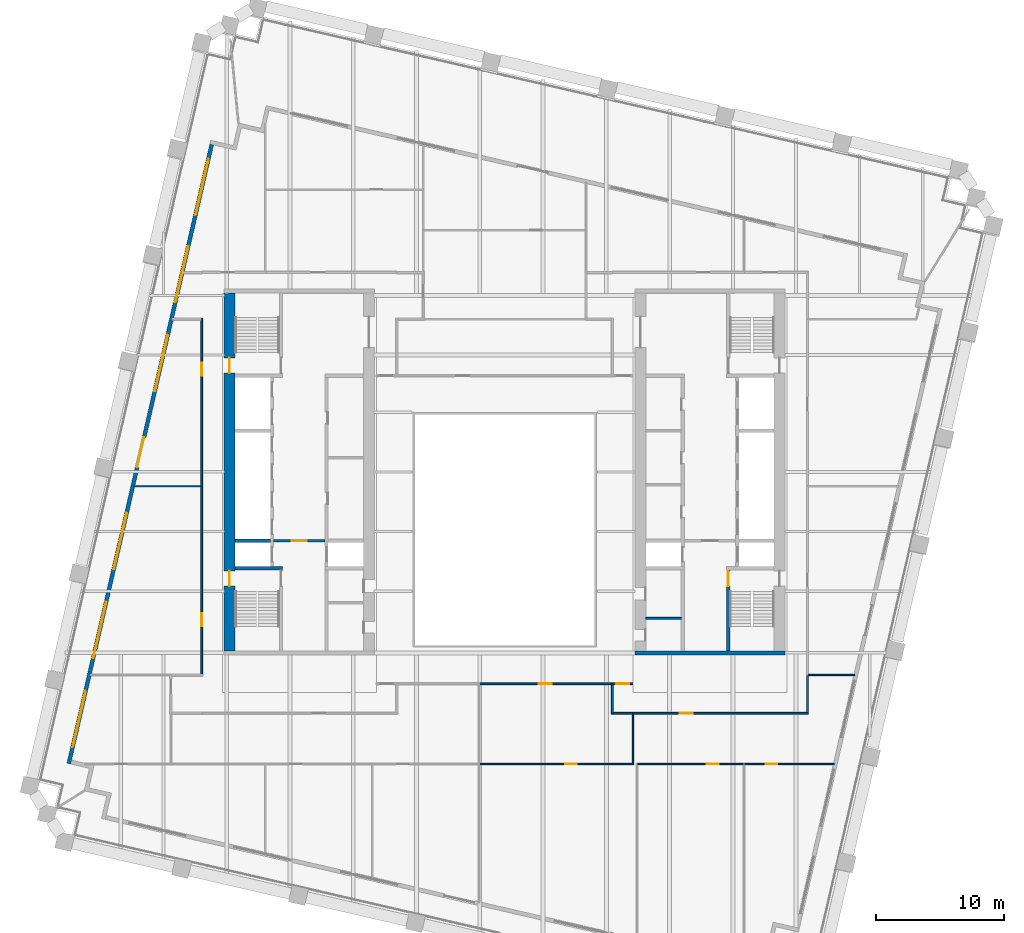
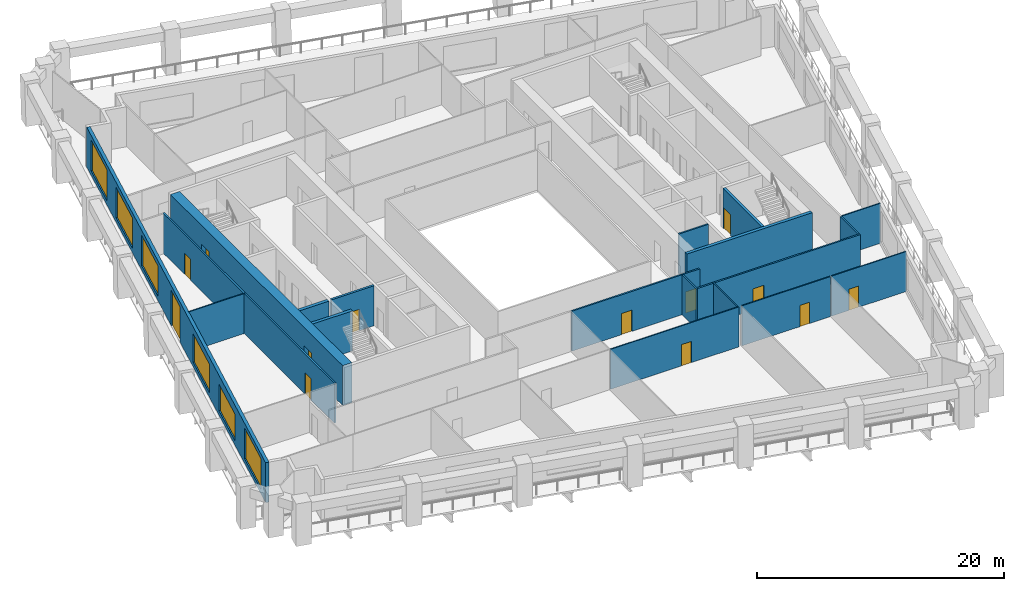
# One storey, part 4 of 10: 22 walls, 13 doors, 6 windows, 19 openings.
"""IFC4 building model written with IfcOpenShell, lengths in metres."""

from ifc_helpers import new_model, si_unit, direction, frame, frame_2d, origin, place, context, subcontext, project, spatial, rectangle, extrude, material, layer, layer_set, type_object, element, fill, save


model = new_model("IFC4")

# Units and contexts
model_context = context("Model", 3, precision=1e-05, world=origin(), true_north=direction((0.0, 1.0)))
body_context = subcontext(model_context, "Body", "Model", "MODEL_VIEW")
ifc_project = project(units=[si_unit("LENGTHUNIT", "METRE"), si_unit("AREAUNIT", "SQUARE_METRE"), si_unit("VOLUMEUNIT", "CUBIC_METRE"), si_unit("PLANEANGLEUNIT", "RADIAN"), si_unit("MASSUNIT", "GRAM", prefix="KILO")], contexts=[model_context])

# Site, building, storey
site_placement = place(None, origin())
site = spatial("IfcSite", under=ifc_project, at=site_placement, CompositionType="ELEMENT")
building_placement = place(site_placement, origin())
building = spatial("IfcBuilding", under=site, at=building_placement, Name="Ogive Exchange Tower", CompositionType="ELEMENT")
storey_placement = place(building_placement, frame((0.0, 0.0, 151.800048828125)))
storey = spatial("IfcBuildingStorey", under=building, at=storey_placement, Name="L33", CompositionType="ELEMENT", Elevation=151.800048828125)

# Wall
ifc_material_1 = material(Name="Gypsum board partition")
ifc_layer_1 = layer(ifc_material_1, 0.14990234375)
ifc_layer_set_1 = layer_set([ifc_layer_1], Name="Core room partition 150 gypsum")
wall_type_1 = type_object("IfcWallType", Name="Core room partition 150 gypsum", PredefinedType="PARTITIONING", material=ifc_layer_set_1)
wall_1_placement = place(storey_placement, frame((11.0, 0.10009765625, 0.0), z_axis=(0.0, 0.0, 1.0), x_axis=(1.0, 0.0, 0.0)))
element("IfcWall", 1, at=wall_1_placement, inside=storey, type_object=wall_type_1, Name="E south room partition", PredefinedType="PARTITIONING", context=body_context, shape_type="SweptSolid", body=[
    extrude(rectangle(XDim=2.75, YDim=0.14990234375, at=frame_2d((1.375, 0.0))), origin(), (0.0, 0.0, 1.0), 3.949951171875),
])

# Wall, opening, door
ifc_material_2 = material(Name="Fire partition EI 60 150")
ifc_layer_2 = layer(ifc_material_2, 0.14990234375)
ifc_layer_set_2 = layer_set([ifc_layer_2], Name="Fire partition EI 60 150")
wall_type_2 = type_object("IfcWallType", Name="Fire partition EI 60 150", PredefinedType="PARTITIONING", material=ifc_layer_set_2)
wall_2_placement = place(storey_placement, frame((-23.60009765625, -4.2451171875, 0.0), z_axis=(0.0, 0.0, 1.0), x_axis=(0.0, 1.0, 0.0)))
wall_2 = element("IfcWall", 2, at=wall_2_placement, inside=storey, type_object=wall_type_2, Name="L33-PWL-008", PredefinedType="PARTITIONING", context=body_context, shape_type="SweptSolid", body=[
    extrude(rectangle(XDim=14.68505859375, YDim=0.14990234375, at=frame_2d((7.342529296875, 0.0))), origin(), (0.0, 0.0, 1.0), 3.949951171875),
])
opening_1_placement = place(wall_2_placement, frame((3.735107421875, 0.0, 0.0)))
opening_1 = element("IfcOpeningElement", 3, at=opening_1_placement, cuts=wall_2, Name="Opening L33-I12", PredefinedType="OPENING", context=body_context, shape_type="SweptSolid", body=[
    extrude(rectangle(XDim=1.0, YDim=2.10009765625, at=frame_2d((0.5, 1.050048828125))), frame((0.0, 0.0849609375, 0.0), z_axis=(0.0, -1.0, 0.0), x_axis=(1.0, 0.0, 0.0)), (0.0, 0.0, 1.0), 0.169921875),
])
ifc_material_3 = material(Name="Fire door FD 30S 1000 x 2100")
door_type_1 = type_object("IfcDoorType", Name="Fire door FD 30S 1000 x 2100", OperationType="NOTDEFINED", PredefinedType="DOOR", material=ifc_material_3)
door_1_placement = place(opening_1_placement, origin())
door_1 = element("IfcDoor", 4, at=door_1_placement, inside=storey, type_object=door_type_1, Name="L33-IDR-012", ObjectType="DT3", OperationType="SINGLE_SWING_RIGHT", OverallHeight=2.10009765625, OverallWidth=1.0, PredefinedType="DOOR", context=body_context, shape_type="SweptSolid", body=[
    extrude(rectangle(XDim=1.0, YDim=2.10009765625, at=frame_2d((0.5, 1.050048828125))), frame((0.0, 0.02490234375, 0.0), z_axis=(0.0, -1.0, 0.0), x_axis=(1.0, 0.0, 0.0)), (0.0, 0.0, 1.0), 0.050048828125),
])
fill(opening_1, door_1)

wall_3_placement = place(storey_placement, frame((-23.60009765625, 10.389892578125, 0.0), z_axis=(0.0, 0.0, 1.0), x_axis=(0.0, 1.0, 0.0)))
wall_3 = element("IfcWall", 5, at=wall_3_placement, inside=storey, type_object=wall_type_2, Name="L33-PWL-010", PredefinedType="PARTITIONING", context=body_context, shape_type="SweptSolid", body=[
    extrude(rectangle(XDim=13.09521484375, YDim=0.14990234375, at=frame_2d((6.547607421875, 0.0))), origin(), (0.0, 0.0, 1.0), 3.949951171875),
])
opening_2_placement = place(wall_3_placement, frame((8.6201171875, 0.0, 0.0)))
opening_2 = element("IfcOpeningElement", 6, at=opening_2_placement, cuts=wall_3, Name="Opening L33-I01", PredefinedType="OPENING", context=body_context, shape_type="SweptSolid", body=[
    extrude(rectangle(XDim=1.0, YDim=2.10009765625, at=frame_2d((0.5, 1.050048828125))), frame((0.0, 0.0849609375, 0.0), z_axis=(0.0, -1.0, 0.0), x_axis=(1.0, 0.0, 0.0)), (0.0, 0.0, 1.0), 0.169921875),
])
door_2_placement = place(opening_2_placement, origin())
door_2 = element("IfcDoor", 7, at=door_2_placement, inside=storey, type_object=door_type_1, Name="L33-IDR-001", ObjectType="DT3", OperationType="SINGLE_SWING_LEFT", OverallHeight=2.10009765625, OverallWidth=1.0, PredefinedType="DOOR", context=body_context, shape_type="SweptSolid", body=[
    extrude(rectangle(XDim=1.0, YDim=2.10009765625, at=frame_2d((0.5, 1.050048828125))), frame((0.0, 0.02490234375, 0.0), z_axis=(0.0, -1.0, 0.0), x_axis=(1.0, 0.0, 0.0)), (0.0, 0.0, 1.0), 0.050048828125),
])
fill(opening_2, door_2)

# Wall
wall_4_placement = place(storey_placement, frame((8.39990234375, -7.375, 0.0), z_axis=(0.0, 0.0, 1.0), x_axis=(0.0, 1.0, 0.0)))
element("IfcWall", 8, at=wall_4_placement, inside=storey, type_object=wall_type_2, Name="L33-PWL-041", PredefinedType="PARTITIONING", context=body_context, shape_type="SweptSolid", body=[
    extrude(rectangle(XDim=2.449951171875, YDim=0.14990234375, at=frame_2d((1.22509765625, 0.0))), origin(), (0.0, 0.0, 1.0), 3.949951171875),
])

# Wall, opening, door
wall_5_placement = place(storey_placement, frame((8.324951171875, -5.0, 0.0), z_axis=(0.0, 0.0, 1.0), x_axis=(-1.0, 0.0, 0.0)))
wall_5 = element("IfcWall", 9, at=wall_5_placement, inside=storey, type_object=wall_type_2, Name="L33-PWL-042", PredefinedType="PARTITIONING", context=body_context, shape_type="SweptSolid", body=[
    extrude(rectangle(XDim=10.264892578125, YDim=0.14990234375, at=frame_2d((5.13232421875, 0.0))), origin(), (0.0, 0.0, 1.0), 3.949951171875),
])
opening_3_placement = place(wall_5_placement, frame((4.6650390625, 0.0, 0.0)))
opening_3 = element("IfcOpeningElement", 10, at=opening_3_placement, cuts=wall_5, Name="Opening L33-I14", PredefinedType="OPENING", context=body_context, shape_type="SweptSolid", body=[
    extrude(rectangle(XDim=1.0, YDim=2.10009765625, at=frame_2d((0.5, 1.050048828125))), frame((0.0, 0.0849609375, 0.0), z_axis=(0.0, -1.0, 0.0), x_axis=(1.0, 0.0, 0.0)), (0.0, 0.0, 1.0), 0.169921875),
])
door_3_placement = place(opening_3_placement, origin())
door_3 = element("IfcDoor", 11, at=door_3_placement, inside=storey, type_object=door_type_1, Name="L33-IDR-014", ObjectType="DT3", OperationType="SINGLE_SWING_LEFT", OverallHeight=2.10009765625, OverallWidth=1.0, PredefinedType="DOOR", context=body_context, shape_type="SweptSolid", body=[
    extrude(rectangle(XDim=1.0, YDim=2.10009765625, at=frame_2d((0.5, 1.050048828125))), frame((0.0, 0.02490234375, 0.0), z_axis=(0.0, -1.0, 0.0), x_axis=(1.0, 0.0, 0.0)), (0.0, 0.0, 1.0), 0.050048828125),
])
fill(opening_3, door_3)

# Wall
wall_6_placement = place(storey_placement, frame((9.949951171875, -7.300048828125, 0.0), z_axis=(0.0, 0.0, 1.0), x_axis=(-1.0, 0.0, 0.0)))
element("IfcWall", 12, at=wall_6_placement, inside=storey, type_object=wall_type_2, Name="L33-PWL-048", PredefinedType="PARTITIONING", context=body_context, shape_type="SweptSolid", body=[
    extrude(rectangle(XDim=1.474853515625, YDim=0.14990234375, at=frame_2d((0.7373046875, 0.0))), origin(), (0.0, 0.0, 1.0), 3.949951171875),
])

# Wall, opening, door
wall_7_placement = place(storey_placement, frame((23.675048828125, -7.300048828125, 0.0), z_axis=(0.0, 0.0, 1.0), x_axis=(-1.0, 0.0, 0.0)))
wall_7 = element("IfcWall", 13, at=wall_7_placement, inside=storey, type_object=wall_type_2, Name="L33-PWL-054", PredefinedType="PARTITIONING", context=body_context, shape_type="SweptSolid", body=[
    extrude(rectangle(XDim=13.625, YDim=0.14990234375, at=frame_2d((6.8125, 0.0))), origin(), (0.0, 0.0, 1.0), 3.949951171875),
])
opening_4_placement = place(wall_7_placement, frame((9.02490234375, 0.0, 0.0)))
opening_4 = element("IfcOpeningElement", 14, at=opening_4_placement, cuts=wall_7, Name="Opening L33-I13", PredefinedType="OPENING", context=body_context, shape_type="SweptSolid", body=[
    extrude(rectangle(XDim=1.0, YDim=2.10009765625, at=frame_2d((0.5, 1.050048828125))), frame((0.0, 0.0849609375, 0.0), z_axis=(0.0, -1.0, 0.0), x_axis=(1.0, 0.0, 0.0)), (0.0, 0.0, 1.0), 0.169921875),
])
door_4_placement = place(opening_4_placement, origin())
door_4 = element("IfcDoor", 15, at=door_4_placement, inside=storey, type_object=door_type_1, Name="L33-IDR-013", ObjectType="DT3", OperationType="SINGLE_SWING_LEFT", OverallHeight=2.10009765625, OverallWidth=1.0, PredefinedType="DOOR", context=body_context, shape_type="SweptSolid", body=[
    extrude(rectangle(XDim=1.0, YDim=2.10009765625, at=frame_2d((0.5, 1.050048828125))), frame((0.0, 0.02490234375, 0.0), z_axis=(0.0, -1.0, 0.0), x_axis=(1.0, 0.0, 0.0)), (0.0, 0.0, 1.0), 0.050048828125),
])
fill(opening_4, door_4)

# Wall
wall_8_placement = place(storey_placement, frame((23.60009765625, -4.3701171875, 0.0), z_axis=(0.0, 0.0, 1.0), x_axis=(0.0, -1.0, 0.0)))
element("IfcWall", 16, at=wall_8_placement, inside=storey, type_object=wall_type_2, Name="L33-PWL-055", PredefinedType="PARTITIONING", context=body_context, shape_type="SweptSolid", body=[
    extrude(rectangle(XDim=2.85498046875, YDim=0.14990234375, at=frame_2d((1.427490234375, 0.0))), origin(), (0.0, 0.0, 1.0), 3.949951171875),
])

# Wall, opening, door
wall_9_placement = place(storey_placement, frame((10.0, -5.0, 0.0), z_axis=(0.0, 0.0, 1.0), x_axis=(-1.0, 0.0, 0.0)))
wall_9 = element("IfcWall", 17, at=wall_9_placement, inside=storey, type_object=wall_type_2, Name="L33-PWL-067", PredefinedType="PARTITIONING", context=body_context, shape_type="SweptSolid", body=[
    extrude(rectangle(XDim=1.60009765625, YDim=0.14990234375, at=frame_2d((0.800048828125, 0.0))), origin(), (0.0, 0.0, 1.0), 3.949951171875),
])
opening_5_placement = place(wall_9_placement, frame((0.300048828125, 0.0, 0.0)))
opening_5 = element("IfcOpeningElement", 18, at=opening_5_placement, cuts=wall_9, Name="Opening L33-I26", PredefinedType="OPENING", context=body_context, shape_type="SweptSolid", body=[
    extrude(rectangle(XDim=1.0, YDim=2.10009765625, at=frame_2d((0.5, 1.050048828125))), frame((0.0, 0.0849609375, 0.0), z_axis=(0.0, -1.0, 0.0), x_axis=(1.0, 0.0, 0.0)), (0.0, 0.0, 1.0), 0.169921875),
])
door_5_placement = place(opening_5_placement, origin())
door_5 = element("IfcDoor", 19, at=door_5_placement, inside=storey, type_object=door_type_1, Name="L33-IDR-026", ObjectType="DT3", OperationType="SINGLE_SWING_LEFT", OverallHeight=2.10009765625, OverallWidth=1.0, PredefinedType="DOOR", context=body_context, shape_type="SweptSolid", body=[
    extrude(rectangle(XDim=1.0, YDim=2.10009765625, at=frame_2d((0.5, 1.050048828125))), frame((0.0, 0.02490234375, 0.0), z_axis=(0.0, -1.0, 0.0), x_axis=(1.0, 0.0, 0.0)), (0.0, 0.0, 1.0), 0.050048828125),
])
fill(opening_5, door_5)

# Wall, openings, door, windows
ifc_material_4 = material(Name="Precast concrete C40/50", Category="concrete")
ifc_layer_3 = layer(ifc_material_4, 0.300048828125)
ifc_layer_set_3 = layer_set([ifc_layer_3], Name="Limestone-faced wall 300")
wall_type_3 = type_object("IfcWallType", Name="Limestone-faced wall 300", PredefinedType="STANDARD", material=ifc_layer_set_3)
wall_10_placement = place(storey_placement, frame((-22.8203125, 37.015625, 0.0), z_axis=(0.0, 0.0, 1.0), x_axis=(-0.224953880882, -0.974369412223, 0.0)))
wall_10 = element("IfcWall", 20, at=wall_10_placement, inside=storey, type_object=wall_type_3, Name="External wall W4", PredefinedType="STANDARD", context=body_context, shape_type="SweptSolid", body=[
    extrude(rectangle(XDim=49.500244140625, YDim=0.300048828125, at=frame_2d((24.75, 0.0))), origin(), (0.0, 0.0, 1.0), 3.949951171875),
])
opening_6_placement = place(wall_10_placement, frame((1.156982421875, 0.0, 0.449951171875)))
opening_6 = element("IfcOpeningElement", 21, at=opening_6_placement, cuts=wall_10, Name="Opening W1", PredefinedType="OPENING", context=body_context, shape_type="SweptSolid", body=[
    extrude(rectangle(XDim=4.5, YDim=3.050048828125, at=frame_2d((2.25, 1.52490234375))), frame((0.0, 0.159912109375, 0.0), z_axis=(0.0, -1.0, 0.0), x_axis=(1.0, 0.0, 0.0)), (0.0, 0.0, 1.0), 0.320068359375),
])
opening_7_placement = place(wall_10_placement, frame((8.121337890625, 0.0, 0.449951171875)))
opening_7 = element("IfcOpeningElement", 22, at=opening_7_placement, cuts=wall_10, Name="Opening W1A", PredefinedType="OPENING", context=body_context, shape_type="SweptSolid", body=[
    extrude(rectangle(XDim=4.5, YDim=3.0, at=frame_2d((2.25, 1.5))), frame((0.0, 0.159912109375, 0.0), z_axis=(0.0, -1.0, 0.0), x_axis=(1.0, 0.0, 0.0)), (0.0, 0.0, 1.0), 0.320068359375),
])
opening_8_placement = place(wall_10_placement, frame((15.235595703125, 0.0, 0.449951171875)))
opening_8 = element("IfcOpeningElement", 23, at=opening_8_placement, cuts=wall_10, Name="Opening W1A", PredefinedType="OPENING", context=body_context, shape_type="SweptSolid", body=[
    extrude(rectangle(XDim=4.5, YDim=3.0, at=frame_2d((2.25, 1.5))), frame((0.0, 0.159912109375, 0.0), z_axis=(0.0, -1.0, 0.0), x_axis=(1.0, 0.0, 0.0)), (0.0, 0.0, 1.0), 0.320068359375),
])
opening_9_placement = place(wall_10_placement, frame((23.39990234375, 0.0, 0.0)))
opening_9 = element("IfcOpeningElement", 24, at=opening_9_placement, cuts=wall_10, Name="Opening D1", PredefinedType="OPENING", context=body_context, shape_type="SweptSolid", body=[
    extrude(rectangle(XDim=2.39990234375, YDim=3.5, at=frame_2d((1.199951171875, 1.75))), frame((0.0, 0.159912109375, 0.0), z_axis=(0.0, -1.0, 0.0), x_axis=(1.0, 0.0, 0.0)), (0.0, 0.0, 1.0), 0.320068359375),
])
opening_10_placement = place(wall_10_placement, frame((29.464111328125, 0.0, 0.449951171875)))
opening_10 = element("IfcOpeningElement", 25, at=opening_10_placement, cuts=wall_10, Name="Opening W1E", PredefinedType="OPENING", context=body_context, shape_type="SweptSolid", body=[
    extrude(rectangle(XDim=4.5, YDim=2.824951171875, at=frame_2d((2.25, 1.41259765625))), frame((0.0, 0.159912109375, 0.0), z_axis=(0.0, -1.0, 0.0), x_axis=(1.0, 0.0, 0.0)), (0.0, 0.0, 1.0), 0.320068359375),
])
opening_11_placement = place(wall_10_placement, frame((36.57861328125, 0.0, 0.449951171875)))
opening_11 = element("IfcOpeningElement", 26, at=opening_11_placement, cuts=wall_10, Name="Opening W1L", PredefinedType="OPENING", context=body_context, shape_type="SweptSolid", body=[
    extrude(rectangle(XDim=4.5, YDim=2.625, at=frame_2d((2.25, 1.3125))), frame((0.0, 0.159912109375, 0.0), z_axis=(0.0, -1.0, 0.0), x_axis=(1.0, 0.0, 0.0)), (0.0, 0.0, 1.0), 0.320068359375),
])
opening_12_placement = place(wall_10_placement, frame((43.69287109375, 0.0, 0.449951171875)))
opening_12 = element("IfcOpeningElement", 27, at=opening_12_placement, cuts=wall_10, Name="Opening W1", PredefinedType="OPENING", context=body_context, shape_type="SweptSolid", body=[
    extrude(rectangle(XDim=4.5, YDim=3.050048828125, at=frame_2d((2.25, 1.52490234375))), frame((0.0, 0.159912109375, 0.0), z_axis=(0.0, -1.0, 0.0), x_axis=(1.0, 0.0, 0.0)), (0.0, 0.0, 1.0), 0.320068359375),
])
ifc_material_5 = material(Name="Clear glass in bronze frame", Category="glass")
door_type_2 = type_object("IfcDoorType", Name="Sliding loggia door 2400 x 3500", OperationType="DOUBLE_DOOR_SLIDING", PredefinedType="DOOR", material=ifc_material_5)
door_6_placement = place(opening_9_placement, origin())
door_6 = element("IfcDoor", 28, at=door_6_placement, inside=storey, type_object=door_type_2, Name="Loggia door W03", OperationType="DOUBLE_DOOR_SLIDING", OverallHeight=3.5, OverallWidth=2.39990234375, PredefinedType="DOOR", context=body_context, shape_type="SweptSolid", body=[
    extrude(rectangle(XDim=2.39990234375, YDim=3.5, at=frame_2d((1.199951171875, 1.75))), frame((0.0, 0.02490234375, 0.0), z_axis=(0.0, -1.0, 0.0), x_axis=(1.0, 0.0, 0.0)), (0.0, 0.0, 1.0), 0.050048828125),
])
fill(opening_9, door_6)
window_type_1 = type_object("IfcWindowType", Name="Twin lancet window 4500 x 2625", PartitioningType="DOUBLE_PANEL_VERTICAL", PredefinedType="WINDOW", material=ifc_material_5)
window_1_placement = place(opening_11_placement, origin())
window_1 = element("IfcWindow", 29, at=window_1_placement, inside=storey, type_object=window_type_1, Name="Window W05", OverallHeight=2.625, OverallWidth=4.5, PartitioningType="DOUBLE_PANEL_VERTICAL", PredefinedType="WINDOW", context=body_context, shape_type="SweptSolid", body=[
    extrude(rectangle(XDim=4.5, YDim=2.625, at=frame_2d((2.25, 1.3125))), frame((0.0, 0.030029296875, 0.0), z_axis=(0.0, -1.0, 0.0), x_axis=(1.0, 0.0, 0.0)), (0.0, 0.0, 1.0), 0.06005859375),
])
fill(opening_11, window_1)
window_type_2 = type_object("IfcWindowType", Name="Twin lancet window 4500 x 2825", PartitioningType="DOUBLE_PANEL_VERTICAL", PredefinedType="WINDOW", material=ifc_material_5)
window_2_placement = place(opening_10_placement, origin())
window_2 = element("IfcWindow", 30, at=window_2_placement, inside=storey, type_object=window_type_2, Name="Window W04", OverallHeight=2.824951171875, OverallWidth=4.5, PartitioningType="DOUBLE_PANEL_VERTICAL", PredefinedType="WINDOW", context=body_context, shape_type="SweptSolid", body=[
    extrude(rectangle(XDim=4.5, YDim=2.824951171875, at=frame_2d((2.25, 1.41259765625))), frame((0.0, 0.030029296875, 0.0), z_axis=(0.0, -1.0, 0.0), x_axis=(1.0, 0.0, 0.0)), (0.0, 0.0, 1.0), 0.06005859375),
])
fill(opening_10, window_2)
window_type_3 = type_object("IfcWindowType", Name="Twin lancet window 4500 x 3000", PartitioningType="DOUBLE_PANEL_VERTICAL", PredefinedType="WINDOW", material=ifc_material_5)
window_3_placement = place(opening_7_placement, origin())
window_3 = element("IfcWindow", 31, at=window_3_placement, inside=storey, type_object=window_type_3, Name="Window W01", OverallHeight=3.0, OverallWidth=4.5, PartitioningType="DOUBLE_PANEL_VERTICAL", PredefinedType="WINDOW", context=body_context, shape_type="SweptSolid", body=[
    extrude(rectangle(XDim=4.5, YDim=3.0, at=frame_2d((2.25, 1.5))), frame((0.0, 0.030029296875, 0.0), z_axis=(0.0, -1.0, 0.0), x_axis=(1.0, 0.0, 0.0)), (0.0, 0.0, 1.0), 0.06005859375),
])
fill(opening_7, window_3)
window_4_placement = place(opening_8_placement, origin())
window_4 = element("IfcWindow", 32, at=window_4_placement, inside=storey, type_object=window_type_3, Name="Window W02", OverallHeight=3.0, OverallWidth=4.5, PartitioningType="DOUBLE_PANEL_VERTICAL", PredefinedType="WINDOW", context=body_context, shape_type="SweptSolid", body=[
    extrude(rectangle(XDim=4.5, YDim=3.0, at=frame_2d((2.25, 1.5))), frame((0.0, 0.030029296875, 0.0), z_axis=(0.0, -1.0, 0.0), x_axis=(1.0, 0.0, 0.0)), (0.0, 0.0, 1.0), 0.06005859375),
])
fill(opening_8, window_4)
window_type_4 = type_object("IfcWindowType", Name="Twin lancet window 4500 x 3050", PartitioningType="DOUBLE_PANEL_VERTICAL", PredefinedType="WINDOW", material=ifc_material_5)
window_5_placement = place(opening_6_placement, origin())
window_5 = element("IfcWindow", 33, at=window_5_placement, inside=storey, type_object=window_type_4, Name="Window W00", OverallHeight=3.050048828125, OverallWidth=4.5, PartitioningType="DOUBLE_PANEL_VERTICAL", PredefinedType="WINDOW", context=body_context, shape_type="SweptSolid", body=[
    extrude(rectangle(XDim=4.5, YDim=3.050048828125, at=frame_2d((2.25, 1.52490234375))), frame((0.0, 0.030029296875, 0.0), z_axis=(0.0, -1.0, 0.0), x_axis=(1.0, 0.0, 0.0)), (0.0, 0.0, 1.0), 0.06005859375),
])
fill(opening_6, window_5)
window_6_placement = place(opening_12_placement, origin())
window_6 = element("IfcWindow", 34, at=window_6_placement, inside=storey, type_object=window_type_4, Name="Window W06", OverallHeight=3.050048828125, OverallWidth=4.5, PartitioningType="DOUBLE_PANEL_VERTICAL", PredefinedType="WINDOW", context=body_context, shape_type="SweptSolid", body=[
    extrude(rectangle(XDim=4.5, YDim=3.050048828125, at=frame_2d((2.25, 1.52490234375))), frame((0.0, 0.030029296875, 0.0), z_axis=(0.0, -1.0, 0.0), x_axis=(1.0, 0.0, 0.0)), (0.0, 0.0, 1.0), 0.06005859375),
])
fill(opening_12, window_6)

# Wall
ifc_material_6 = material(Name="Partition 100 gypsum")
ifc_layer_4 = layer(ifc_material_6, 0.10009765625)
ifc_layer_set_4 = layer_set([ifc_layer_4], Name="Partition 100 gypsum")
wall_type_4 = type_object("IfcWallType", Name="Partition 100 gypsum", PredefinedType="PARTITIONING", material=ifc_layer_set_4)
wall_11_placement = place(storey_placement, frame((-23.675048828125, 10.389892578125, 0.0), z_axis=(0.0, 0.0, 1.0), x_axis=(-1.0, 0.0, 0.0)))
element("IfcWall", 35, at=wall_11_placement, inside=storey, type_object=wall_type_4, Name="L33-PWL-009", PredefinedType="PARTITIONING", context=body_context, shape_type="SweptSolid", body=[
    extrude(rectangle(XDim=5.220947265625, YDim=0.10009765625, at=frame_2d((2.6103515625, 0.0))), origin(), (0.0, 0.0, 1.0), 3.949951171875),
])

# Wall, opening, door
wall_12_placement = place(storey_placement, frame((10.050048828125, -11.25, 0.0), z_axis=(0.0, 0.0, 1.0), x_axis=(-1.0, 0.0, 0.0)))
wall_12 = element("IfcWall", 36, at=wall_12_placement, inside=storey, type_object=wall_type_4, Name="L33-PWL-046", PredefinedType="PARTITIONING", context=body_context, shape_type="SweptSolid", body=[
    extrude(rectangle(XDim=11.989990234375, YDim=0.10009765625, at=frame_2d((5.9951171875, 0.0))), origin(), (0.0, 0.0, 1.0), 3.949951171875),
])
opening_13_placement = place(wall_12_placement, frame((4.43994140625, 0.0, 0.0)))
opening_13 = element("IfcOpeningElement", 37, at=opening_13_placement, cuts=wall_12, Name="Opening L33-I19", PredefinedType="OPENING", context=body_context, shape_type="SweptSolid", body=[
    extrude(rectangle(XDim=0.89990234375, YDim=2.10009765625, at=frame_2d((0.449951171875, 1.050048828125))), frame((0.0, 0.06005859375, 0.0), z_axis=(0.0, -1.0, 0.0), x_axis=(1.0, 0.0, 0.0)), (0.0, 0.0, 1.0), 0.1201171875),
])
ifc_material_7 = material(Name="Door 900 x 2100")
door_type_3 = type_object("IfcDoorType", Name="Door 900 x 2100", OperationType="NOTDEFINED", PredefinedType="DOOR", material=ifc_material_7)
door_7_placement = place(opening_13_placement, frame((0.89990234375, 0.0, 0.0), z_axis=(0.0, 0.0, 1.0), x_axis=(-1.0, 0.0, 0.0)))
door_7 = element("IfcDoor", 38, at=door_7_placement, inside=storey, type_object=door_type_3, Name="L33-IDR-019", ObjectType="DT1", OperationType="SINGLE_SWING_LEFT", OverallHeight=2.10009765625, OverallWidth=0.89990234375, PredefinedType="DOOR", context=body_context, shape_type="SweptSolid", body=[
    extrude(rectangle(XDim=0.89990234375, YDim=2.10009765625, at=frame_2d((0.449951171875, 1.050048828125))), frame((0.0, 0.02490234375, 0.0), z_axis=(0.0, -1.0, 0.0), x_axis=(1.0, 0.0, 0.0)), (0.0, 0.0, 1.0), 0.050048828125),
])
fill(opening_13, door_7)

# Wall
wall_13_placement = place(storey_placement, frame((10.0, -11.199951171875, 0.0), z_axis=(0.0, 0.0, 1.0), x_axis=(0.0, 1.0, 0.0)))
element("IfcWall", 39, at=wall_13_placement, inside=storey, type_object=wall_type_4, Name="L33-PWL-047", PredefinedType="PARTITIONING", context=body_context, shape_type="SweptSolid", body=[
    extrude(rectangle(XDim=3.974853515625, YDim=0.10009765625, at=frame_2d((1.9873046875, 0.0))), origin(), (0.0, 0.0, 1.0), 3.949951171875),
])

# Wall, opening, door
wall_14_placement = place(storey_placement, frame((18.60009765625, -11.25, 0.0), z_axis=(0.0, 0.0, 1.0), x_axis=(-1.0, 0.0, 0.0)))
wall_14 = element("IfcWall", 40, at=wall_14_placement, inside=storey, type_object=wall_type_4, Name="L33-PWL-051", PredefinedType="PARTITIONING", context=body_context, shape_type="SweptSolid", body=[
    extrude(rectangle(XDim=8.22998046875, YDim=0.10009765625, at=frame_2d((4.114990234375, 0.0))), origin(), (0.0, 0.0, 1.0), 3.949951171875),
])
opening_14_placement = place(wall_14_placement, frame((1.929931640625, 0.0, 0.0)))
opening_14 = element("IfcOpeningElement", 41, at=opening_14_placement, cuts=wall_14, Name="Opening L33-I18", PredefinedType="OPENING", context=body_context, shape_type="SweptSolid", body=[
    extrude(rectangle(XDim=0.89990234375, YDim=2.10009765625, at=frame_2d((0.449951171875, 1.050048828125))), frame((0.0, 0.06005859375, 0.0), z_axis=(0.0, -1.0, 0.0), x_axis=(1.0, 0.0, 0.0)), (0.0, 0.0, 1.0), 0.1201171875),
])
door_8_placement = place(opening_14_placement, frame((0.89990234375, 0.0, 0.0), z_axis=(0.0, 0.0, 1.0), x_axis=(-1.0, 0.0, 0.0)))
door_8 = element("IfcDoor", 42, at=door_8_placement, inside=storey, type_object=door_type_3, Name="L33-IDR-018", ObjectType="DT1", OperationType="SINGLE_SWING_LEFT", OverallHeight=2.10009765625, OverallWidth=0.89990234375, PredefinedType="DOOR", context=body_context, shape_type="SweptSolid", body=[
    extrude(rectangle(XDim=0.89990234375, YDim=2.10009765625, at=frame_2d((0.449951171875, 1.050048828125))), frame((0.0, 0.02490234375, 0.0), z_axis=(0.0, -1.0, 0.0), x_axis=(1.0, 0.0, 0.0)), (0.0, 0.0, 1.0), 0.050048828125),
])
fill(opening_14, door_8)

wall_15_placement = place(storey_placement, frame((25.696044921875, -11.25, 0.0), z_axis=(0.0, 0.0, 1.0), x_axis=(-1.0, 0.0, 0.0)))
wall_15 = element("IfcWall", 43, at=wall_15_placement, inside=storey, type_object=wall_type_4, Name="L33-PWL-060", PredefinedType="PARTITIONING", context=body_context, shape_type="SweptSolid", body=[
    extrude(rectangle(XDim=6.99609375, YDim=0.10009765625, at=frame_2d((3.498046875, 0.0))), origin(), (0.0, 0.0, 1.0), 3.949951171875),
])
opening_15_placement = place(wall_15_placement, frame((4.446044921875, 0.0, 0.0)))
opening_15 = element("IfcOpeningElement", 44, at=opening_15_placement, cuts=wall_15, Name="Opening L33-I17", PredefinedType="OPENING", context=body_context, shape_type="SweptSolid", body=[
    extrude(rectangle(XDim=0.89990234375, YDim=2.10009765625, at=frame_2d((0.449951171875, 1.050048828125))), frame((0.0, 0.06005859375, 0.0), z_axis=(0.0, -1.0, 0.0), x_axis=(1.0, 0.0, 0.0)), (0.0, 0.0, 1.0), 0.1201171875),
])
door_9_placement = place(opening_15_placement, frame((0.89990234375, 0.0, 0.0), z_axis=(0.0, 0.0, 1.0), x_axis=(-1.0, 0.0, 0.0)))
door_9 = element("IfcDoor", 45, at=door_9_placement, inside=storey, type_object=door_type_3, Name="L33-IDR-017", ObjectType="DT1", OperationType="SINGLE_SWING_RIGHT", OverallHeight=2.10009765625, OverallWidth=0.89990234375, PredefinedType="DOOR", context=body_context, shape_type="SweptSolid", body=[
    extrude(rectangle(XDim=0.89990234375, YDim=2.10009765625, at=frame_2d((0.449951171875, 1.050048828125))), frame((0.0, 0.02490234375, 0.0), z_axis=(0.0, -1.0, 0.0), x_axis=(1.0, 0.0, 0.0)), (0.0, 0.0, 1.0), 0.050048828125),
])
fill(opening_15, door_9)

# Wall
wall_16_placement = place(storey_placement, frame((27.2958984375, -4.320068359375, 0.0), z_axis=(0.0, 0.0, 1.0), x_axis=(-1.0, 0.0, 0.0)))
element("IfcWall", 46, at=wall_16_placement, inside=storey, type_object=wall_type_4, Name="L33-PWL-061", PredefinedType="PARTITIONING", context=body_context, shape_type="SweptSolid", body=[
    extrude(rectangle(XDim=3.620849609375, YDim=0.10009765625, at=frame_2d((1.810546875, 0.0))), origin(), (0.0, 0.0, 1.0), 3.949951171875),
])

# Wall, opening, door
ifc_material_8 = material(Name="Concrete C70/85", Category="concrete")
ifc_layer_5 = layer(ifc_material_8, 0.199951171875)
ifc_layer_set_5 = layer_set([ifc_layer_5], Name="RC core wall 200 C70/85")
wall_type_5 = type_object("IfcWallType", Name="RC core wall 200 C70/85", PredefinedType="SHEAR", material=ifc_layer_set_5)
wall_17_placement = place(storey_placement, frame((-18.0, 6.142822265625, 0.0), z_axis=(0.0, 0.0, 1.0), x_axis=(1.0, 0.0, 0.0)))
wall_17 = element("IfcWall", 47, at=wall_17_placement, inside=storey, type_object=wall_type_5, Name="W firefighting lobby wall", PredefinedType="SHEAR", context=body_context, shape_type="SweptSolid", body=[
    extrude(rectangle(XDim=4.0, YDim=0.199951171875, at=frame_2d((2.0, 0.0))), origin(), (0.0, 0.0, 1.0), 3.949951171875),
])
opening_16_placement = place(wall_17_placement, frame((1.39990234375, 0.0, 0.0)))
opening_16 = element("IfcOpeningElement", 48, at=opening_16_placement, cuts=wall_17, Name="Opening L33-C11", PredefinedType="OPENING", context=body_context, shape_type="SweptSolid", body=[
    extrude(rectangle(XDim=1.199951171875, YDim=2.10009765625, at=frame_2d((0.60009765625, 1.050048828125))), frame((0.0, 0.10986328125, 0.0), z_axis=(0.0, -1.0, 0.0), x_axis=(1.0, 0.0, 0.0)), (0.0, 0.0, 1.0), 0.219970703125),
])
ifc_material_9 = material(Name="Steel fire door", Category="steel")
door_type_4 = type_object("IfcDoorType", Name="Firefighting lobby door FD60 1200 x 2100", OperationType="NOTDEFINED", PredefinedType="DOOR", material=ifc_material_9)
door_10_placement = place(opening_16_placement, frame((1.199951171875, 0.0, 0.0), z_axis=(0.0, 0.0, 1.0), x_axis=(-1.0, 0.0, 0.0)))
door_10 = element("IfcDoor", 49, at=door_10_placement, inside=storey, type_object=door_type_4, Name="Firefighting lobby door", ObjectType="CD3", OperationType="SINGLE_SWING_LEFT", OverallHeight=2.10009765625, OverallWidth=1.199951171875, PredefinedType="DOOR", context=body_context, shape_type="SweptSolid", body=[
    extrude(rectangle(XDim=1.199951171875, YDim=2.10009765625, at=frame_2d((0.60009765625, 1.050048828125))), frame((0.0, 0.02490234375, 0.0), z_axis=(0.0, -1.0, 0.0), x_axis=(1.0, 0.0, 0.0)), (0.0, 0.0, 1.0), 0.050048828125),
])
fill(opening_16, door_10)

ifc_layer_6 = layer(ifc_material_8, 0.25)
ifc_layer_set_6 = layer_set([ifc_layer_6], Name="RC core wall 250 C70/85")
wall_type_6 = type_object("IfcWallType", Name="RC core wall 250 C70/85", PredefinedType="SHEAR", material=ifc_layer_set_6)
wall_18_placement = place(storey_placement, frame((17.425048828125, -2.449951171875, 0.0), z_axis=(0.0, 0.0, 1.0), x_axis=(0.0, 1.0, 0.0)))
wall_18 = element("IfcWall", 50, at=wall_18_placement, inside=storey, type_object=wall_type_6, Name="E stair S front wall", PredefinedType="SHEAR", context=body_context, shape_type="SweptSolid", body=[
    extrude(rectangle(XDim=6.300048828125, YDim=0.25, at=frame_2d((3.14990234375, 0.0))), origin(), (0.0, 0.0, 1.0), 3.949951171875),
])
opening_17_placement = place(wall_18_placement, frame((5.050048828125, 0.0, 0.0)))
opening_17 = element("IfcOpeningElement", 51, at=opening_17_placement, cuts=wall_18, Name="Opening L33-C32", PredefinedType="OPENING", context=body_context, shape_type="SweptSolid", body=[
    extrude(rectangle(XDim=1.199951171875, YDim=2.10009765625, at=frame_2d((0.60009765625, 1.050048828125))), frame((0.0, 0.135009765625, 0.0), z_axis=(0.0, -1.0, 0.0), x_axis=(1.0, 0.0, 0.0)), (0.0, 0.0, 1.0), 0.27001953125),
])
door_type_5 = type_object("IfcDoorType", Name="Stair door FD90 1200 x 2100", OperationType="NOTDEFINED", PredefinedType="DOOR", material=ifc_material_9)
door_11_placement = place(opening_17_placement, frame((1.199951171875, 0.0, 0.0), z_axis=(0.0, 0.0, 1.0), x_axis=(-1.0, 0.0, 0.0)))
door_11 = element("IfcDoor", 52, at=door_11_placement, inside=storey, type_object=door_type_5, Name="Stair door", ObjectType="CD5", OperationType="SINGLE_SWING_RIGHT", OverallHeight=2.10009765625, OverallWidth=1.199951171875, PredefinedType="DOOR", context=body_context, shape_type="SweptSolid", body=[
    extrude(rectangle(XDim=1.199951171875, YDim=2.10009765625, at=frame_2d((0.60009765625, 1.050048828125))), frame((0.0, 0.02490234375, 0.0), z_axis=(0.0, -1.0, 0.0), x_axis=(1.0, 0.0, 0.0)), (0.0, 0.0, 1.0), 0.050048828125),
])
fill(opening_17, door_11)

# Walls
ifc_layer_7 = layer(ifc_material_8, 0.300048828125)
ifc_layer_set_7 = layer_set([ifc_layer_7], Name="RC core wall 300 C70/85")
wall_type_7 = type_object("IfcWallType", Name="RC core wall 300 C70/85", PredefinedType="SHEAR", material=ifc_layer_set_7)
wall_19_placement = place(storey_placement, frame((-21.0, 4.0, 0.0), z_axis=(0.0, 0.0, 1.0), x_axis=(1.0, 0.0, 0.0)))
element("IfcWall", 53, at=wall_19_placement, inside=storey, type_object=wall_type_7, Name="W stair S north wall", PredefinedType="SHEAR", context=body_context, shape_type="SweptSolid", body=[
    extrude(rectangle(XDim=3.699951171875, YDim=0.300048828125, at=frame_2d((1.85009765625, 0.0))), origin(), (0.0, 0.0, 1.0), 3.949951171875),
])
wall_20_placement = place(storey_placement, frame((-21.0, 6.142822265625, 0.0), z_axis=(0.0, 0.0, 1.0), x_axis=(1.0, 0.0, 0.0)))
element("IfcWall", 54, at=wall_20_placement, inside=storey, type_object=wall_type_7, Name="W row A divider 1", PredefinedType="SHEAR", context=body_context, shape_type="SweptSolid", body=[
    extrude(rectangle(XDim=2.75, YDim=0.300048828125, at=frame_2d((1.375, 0.0))), origin(), (0.0, 0.0, 1.0), 3.949951171875),
])
wall_21_placement = place(storey_placement, frame((10.14990234375, -2.60009765625, 0.0), z_axis=(0.0, 0.0, 1.0), x_axis=(1.0, 0.0, 0.0)))
element("IfcWall", 55, at=wall_21_placement, inside=storey, type_object=wall_type_7, Name="E south end wall", PredefinedType="SHEAR", context=body_context, shape_type="SweptSolid", body=[
    extrude(rectangle(XDim=11.7001953125, YDim=0.300048828125, at=frame_2d((5.85009765625, 0.0))), origin(), (0.0, 0.0, 1.0), 3.949951171875),
])

# Wall, openings, doors
ifc_layer_8 = layer(ifc_material_8, 0.85009765625)
ifc_layer_set_8 = layer_set([ifc_layer_8], Name="RC core wall 850 C70/85")
wall_type_8 = type_object("IfcWallType", Name="RC core wall 850 C70/85", PredefinedType="SHEAR", material=ifc_layer_set_8)
wall_22_placement = place(storey_placement, frame((-21.425048828125, -2.449951171875, 0.0), z_axis=(0.0, 0.0, 1.0), x_axis=(0.0, 1.0, 0.0)))
wall_22 = element("IfcWall", 56, at=wall_22_placement, inside=storey, type_object=wall_type_8, Name="W outer wall", PredefinedType="SHEAR", context=body_context, shape_type="SweptSolid", body=[
    extrude(rectangle(XDim=27.89990234375, YDim=0.85009765625, at=frame_2d((13.949951171875, 0.0))), origin(), (0.0, 0.0, 1.0), 3.949951171875),
])
opening_18_placement = place(wall_22_placement, frame((5.050048828125, 0.0, 0.0)))
opening_18 = element("IfcOpeningElement", 57, at=opening_18_placement, cuts=wall_22, Name="Opening L33-C14", PredefinedType="OPENING", context=body_context, shape_type="SweptSolid", body=[
    extrude(rectangle(XDim=1.199951171875, YDim=2.10009765625, at=frame_2d((0.60009765625, 1.050048828125))), frame((0.0, 0.43505859375, 0.0), z_axis=(0.0, -1.0, 0.0), x_axis=(1.0, 0.0, 0.0)), (0.0, 0.0, 1.0), 0.8701171875),
])
opening_19_placement = place(wall_22_placement, frame((21.64990234375, 0.0, 0.0)))
opening_19 = element("IfcOpeningElement", 58, at=opening_19_placement, cuts=wall_22, Name="Opening L33-C16", PredefinedType="OPENING", context=body_context, shape_type="SweptSolid", body=[
    extrude(rectangle(XDim=1.199951171875, YDim=2.10009765625, at=frame_2d((0.60009765625, 1.050048828125))), frame((0.0, 0.43505859375, 0.0), z_axis=(0.0, -1.0, 0.0), x_axis=(1.0, 0.0, 0.0)), (0.0, 0.0, 1.0), 0.8701171875),
])
door_12_placement = place(opening_18_placement, frame((1.199951171875, 0.0, 0.0), z_axis=(0.0, 0.0, 1.0), x_axis=(-1.0, 0.0, 0.0)))
door_12 = element("IfcDoor", 59, at=door_12_placement, inside=storey, type_object=door_type_5, Name="Stair door", ObjectType="CD5", OperationType="SINGLE_SWING_RIGHT", OverallHeight=2.10009765625, OverallWidth=1.199951171875, PredefinedType="DOOR", context=body_context, shape_type="SweptSolid", body=[
    extrude(rectangle(XDim=1.199951171875, YDim=2.10009765625, at=frame_2d((0.60009765625, 1.050048828125))), frame((0.0, 0.02490234375, 0.0), z_axis=(0.0, -1.0, 0.0), x_axis=(1.0, 0.0, 0.0)), (0.0, 0.0, 1.0), 0.050048828125),
])
fill(opening_18, door_12)
door_13_placement = place(opening_19_placement, frame((1.199951171875, 0.0, 0.0), z_axis=(0.0, 0.0, 1.0), x_axis=(-1.0, 0.0, 0.0)))
door_13 = element("IfcDoor", 60, at=door_13_placement, inside=storey, type_object=door_type_5, Name="Stair door", ObjectType="CD5", OperationType="SINGLE_SWING_LEFT", OverallHeight=2.10009765625, OverallWidth=1.199951171875, PredefinedType="DOOR", context=body_context, shape_type="SweptSolid", body=[
    extrude(rectangle(XDim=1.199951171875, YDim=2.10009765625, at=frame_2d((0.60009765625, 1.050048828125))), frame((0.0, 0.02490234375, 0.0), z_axis=(0.0, -1.0, 0.0), x_axis=(1.0, 0.0, 0.0)), (0.0, 0.0, 1.0), 0.050048828125),
])
fill(opening_19, door_13)

save(model, "model.ifc")
